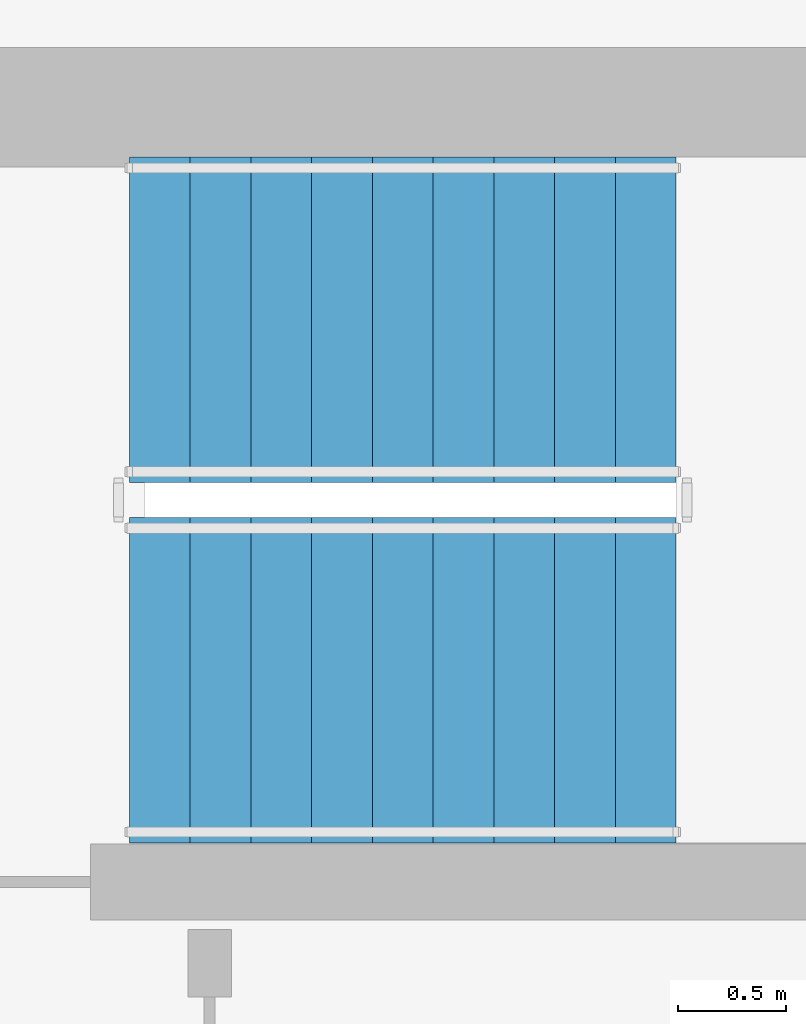
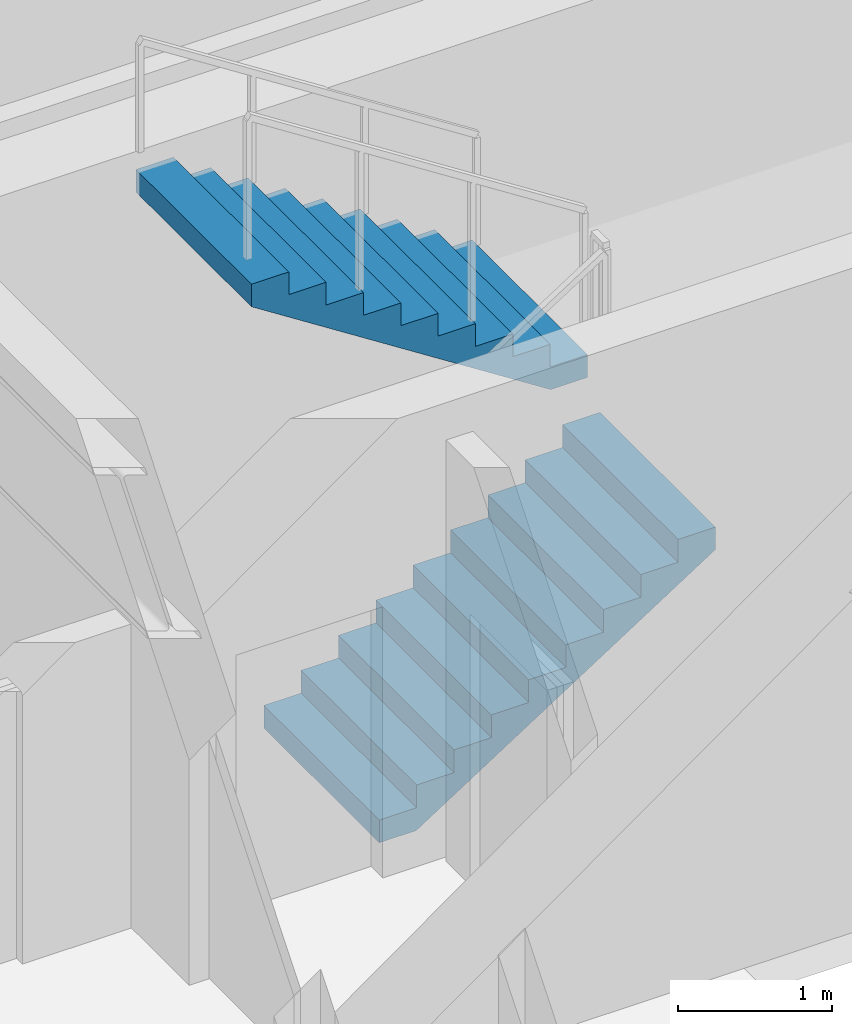
# One storey, part 11 of 15: 2 stair flights, 1 element without a shape of its own.
"""IFC4 building model written with IfcOpenShell, lengths in metres."""

from ifc_helpers import new_model, si_unit, direction, frame, origin, place, context, subcontext, project, spatial, polyline, outline, extrude, material, layer, layer_set, type_object, element, aggregate, save


model = new_model("IFC4")

# Units and contexts
model_context = context("Model", 3, precision=1e-05, world=origin(), true_north=direction((0.0, 1.0)))
body_context = subcontext(model_context, "Body", "Model", "MODEL_VIEW")
ifc_project = project(units=[si_unit("LENGTHUNIT", "METRE"), si_unit("AREAUNIT", "SQUARE_METRE"), si_unit("VOLUMEUNIT", "CUBIC_METRE"), si_unit("PLANEANGLEUNIT", "RADIAN"), si_unit("MASSUNIT", "GRAM", prefix="KILO")], contexts=[model_context])

# Site, building, storey
site_placement = place(None, origin())
site = spatial("IfcSite", under=ifc_project, at=site_placement, CompositionType="ELEMENT")
building_placement = place(site_placement, origin())
building = spatial("IfcBuilding", under=site, at=building_placement, Name="Zarnavel Station Tower", CompositionType="ELEMENT")
storey_placement = place(building_placement, frame((0.0, 0.0, 200.39990234375)))
storey = spatial("IfcBuildingStorey", under=building, at=storey_placement, Name="L54", CompositionType="ELEMENT", Elevation=200.39990234375)

# Stair, stair flights
ifc_material_1 = material(Name="Concrete C45/55", Category="concrete")
stair_type = type_object("IfcStairType", Name="ST_CORE_150", PredefinedType="HALF_TURN_STAIR", material=ifc_material_1)
stair_placement = place(storey_placement, origin())
stair = element("IfcStair", 1, at=stair_placement, inside=storey, type_object=stair_type, Name="L54 Core Exit Stair ST2", PredefinedType="HALF_TURN_STAIR")
ifc_material_2 = material(Name="Concrete C45/55", Category="concrete")
ifc_layer = layer(ifc_material_2, 0.179931640625)
ifc_layer_set = layer_set([ifc_layer], Name="ST_CORE_150_FLT")
stair_flight_type = type_object("IfcStairFlightType", Name="ST_CORE_150_FLT", PredefinedType="STRAIGHT", material=ifc_layer_set)
stair_flight_1_placement = place(storey_placement, frame((38.080078125, 34.409912109375, 0.0), z_axis=(0.0, 0.0, 1.0), x_axis=(1.0, 0.0, 0.0)))
stair_flight_1 = element("IfcStairFlight", 2, at=stair_flight_1_placement, type_object=stair_flight_type, Name="ST2 flight 1", NumberOfRisers=10, NumberOfTreads=9, PredefinedType="STRAIGHT", RiserHeight=0.18, TreadLength=0.28, context=body_context, shape_type="SweptSolid", body=[
    extrude(outline(polyline([(0.0, 0.0), (0.0, 0.179931640625), (0.280029296875, 0.179931640625), (0.280029296875, 0.360107421875), (0.56005859375, 0.360107421875), (0.56005859375, 0.5400390625), (0.840087890625, 0.5400390625), (0.840087890625, 0.719970703125), (1.1201171875, 0.719970703125), (1.1201171875, 0.89990234375), (1.39990234375, 0.89990234375), (1.39990234375, 1.080078125), (1.679931640625, 1.080078125), (1.679931640625, 1.260009765625), (1.9599609375, 1.260009765625), (1.9599609375, 1.43994140625), (2.239990234375, 1.43994140625), (2.239990234375, 1.6201171875), (2.52001953125, 1.6201171875), (2.52001953125, 1.800048828125), (2.52001953125, 1.44189453125), (0.277099609375, 0.0), (0.0, 0.0)])), frame((0.0, 0.75, 0.0), z_axis=(0.0, -1.0, 0.0), x_axis=(1.0, 0.0, 0.0)), (0.0, 0.0, 1.0), 1.5),
])
stair_flight_2_placement = place(storey_placement, frame((40.60009765625, 36.070068359375, 1.800048828125), z_axis=(0.0, 0.0, 1.0), x_axis=(-1.0, 0.0, 0.0)))
stair_flight_2 = element("IfcStairFlight", 3, at=stair_flight_2_placement, type_object=stair_flight_type, Name="ST2 flight 2", NumberOfRisers=10, NumberOfTreads=9, PredefinedType="STRAIGHT", RiserHeight=0.18, TreadLength=0.28, context=body_context, shape_type="SweptSolid", body=[
    extrude(outline(polyline([(0.0, 0.0), (0.0, 0.179931640625), (0.280029296875, 0.179931640625), (0.280029296875, 0.360107421875), (0.56005859375, 0.360107421875), (0.56005859375, 0.5400390625), (0.840087890625, 0.5400390625), (0.840087890625, 0.719970703125), (1.1201171875, 0.719970703125), (1.1201171875, 0.89990234375), (1.39990234375, 0.89990234375), (1.39990234375, 1.080078125), (1.679931640625, 1.080078125), (1.679931640625, 1.260009765625), (1.9599609375, 1.260009765625), (1.9599609375, 1.43994140625), (2.239990234375, 1.43994140625), (2.239990234375, 1.6201171875), (2.52001953125, 1.6201171875), (2.52001953125, 1.800048828125), (2.52001953125, 1.44189453125), (0.277099609375, 0.0), (0.0, 0.0)])), frame((0.0, 0.75, 0.0), z_axis=(0.0, -1.0, 0.0), x_axis=(1.0, 0.0, 0.0)), (0.0, 0.0, 1.0), 1.5),
])
aggregate(stair, [stair_flight_1, stair_flight_2])

save(model, "model.ifc")
